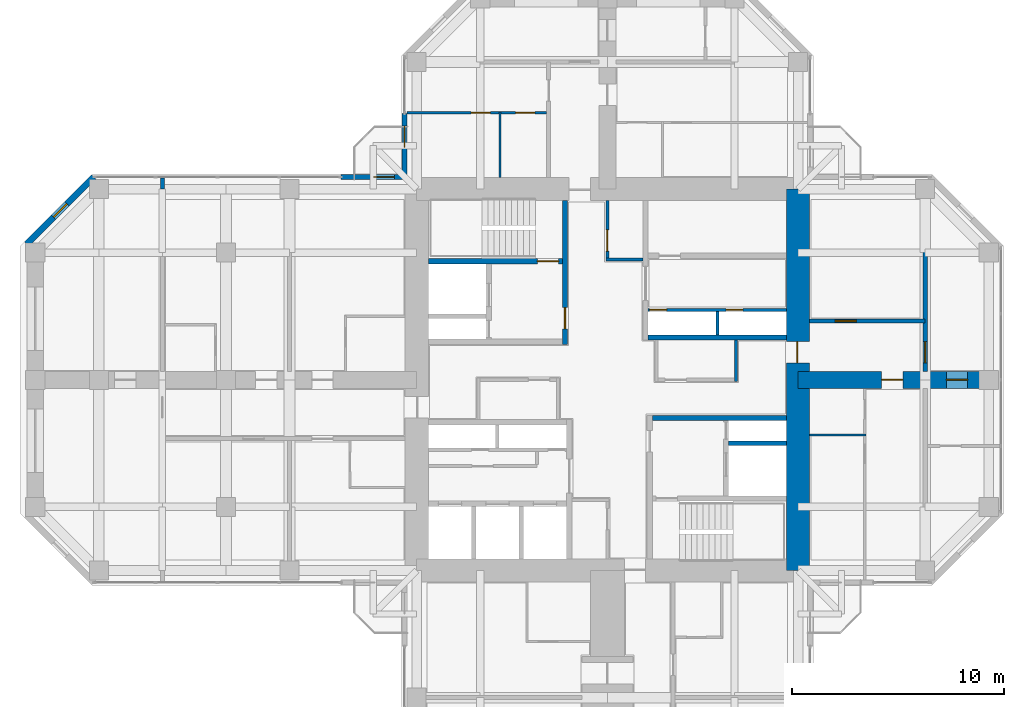
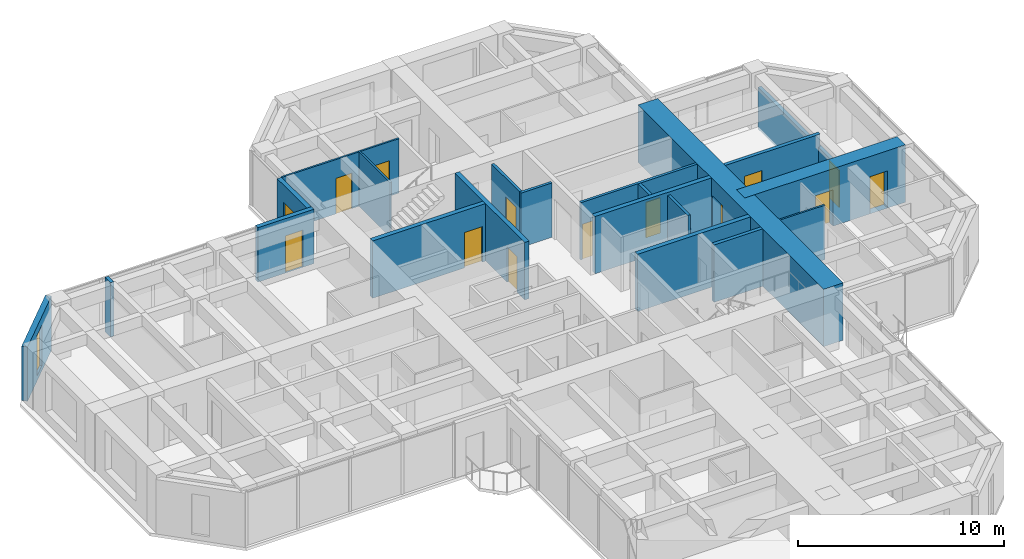
# One storey, part 11 of 14: 21 walls, 14 doors, 1 window, 15 openings.
"""IFC4 building model written with IfcOpenShell, lengths in metres."""

from ifc_helpers import new_model, si_unit, direction, frame, frame_2d, origin, place, context, subcontext, project, spatial, rectangle, hollow_rectangle, extrude, material, layer, layer_set, constituent, constituent_set, type_object, element, fill, save


model = new_model("IFC4")

# Units and contexts
model_context = context("Model", 3, precision=1e-05, world=origin(), true_north=direction((0.0, 1.0)))
body_context = subcontext(model_context, "Body", "Model", "MODEL_VIEW")
ifc_project = project(units=[si_unit("LENGTHUNIT", "METRE"), si_unit("AREAUNIT", "SQUARE_METRE"), si_unit("VOLUMEUNIT", "CUBIC_METRE"), si_unit("PLANEANGLEUNIT", "RADIAN"), si_unit("MASSUNIT", "GRAM", prefix="KILO")], contexts=[model_context])

# Site, building, storey
site_placement = place(None, origin())
site = spatial("IfcSite", under=ifc_project, at=site_placement, CompositionType="ELEMENT")
building_placement = place(site_placement, origin())
building = spatial("IfcBuilding", under=site, at=building_placement, Name="Torre Cruceta", CompositionType="ELEMENT")
storey_placement = place(building_placement, frame((0.0, 0.0, 206.89990234375)))
storey = spatial("IfcBuildingStorey", under=building, at=storey_placement, Name="L52", CompositionType="ELEMENT", Elevation=206.89990234375)

# Wall
ifc_material_1 = material(Name="Water-resistant plasterboard on steel studs", Category="steel")
ifc_layer_1 = layer(ifc_material_1, 0.10009765625)
ifc_layer_set_1 = layer_set([ifc_layer_1], Name="Water-resistant plasterboard on steel studs")
wall_type_1 = type_object("IfcWallType", Name="BATHROOM WALL 100", PredefinedType="PARTITIONING", material=ifc_layer_set_1)
wall_1_placement = place(storey_placement, frame((-5.074951171875, 9.550048828125, 0.0), z_axis=(0.0, 0.0, 1.0), x_axis=(0.0, 1.0, 0.0)))
element("IfcWall", 1, at=wall_1_placement, inside=storey, type_object=wall_type_1, Name="PT4 L52-N-U1LBB", PredefinedType="PARTITIONING", context=body_context, shape_type="SweptSolid", body=[
    extrude(rectangle(XDim=3.099853515625, YDim=0.10009765625, at=frame_2d((1.5498046875, 0.0))), origin(), (0.0, 0.0, 1.0), 3.22021484375),
])

# Wall, openings, doors
wall_2_placement = place(storey_placement, frame((-2.875, 12.60009765625, 0.0), z_axis=(0.0, 0.0, 1.0), x_axis=(-1.0, 0.0, 0.0)))
wall_2 = element("IfcWall", 2, at=wall_2_placement, inside=storey, type_object=wall_type_1, Name="PT4 L52-N-U1LBS", PredefinedType="PARTITIONING", context=body_context, shape_type="SweptSolid", body=[
    extrude(rectangle(XDim=6.570068359375, YDim=0.10009765625, at=frame_2d((3.28515625, 0.0))), origin(), (0.0, 0.0, 1.0), 3.22021484375),
])
opening_1_placement = place(wall_2_placement, frame((0.550048828125, 0.0, 0.0)))
opening_1 = element("IfcOpeningElement", 3, at=opening_1_placement, cuts=wall_2, Name="Opening D7", PredefinedType="OPENING", context=body_context, shape_type="SweptSolid", body=[
    extrude(rectangle(XDim=0.89990234375, YDim=2.10009765625, at=frame_2d((0.449951171875, 1.050048828125))), frame((0.0, 0.06005859375, 0.0), z_axis=(0.0, -1.0, 0.0), x_axis=(1.0, 0.0, 0.0)), (0.0, 0.0, 1.0), 0.1201171875),
])
opening_2_placement = place(wall_2_placement, frame((2.64990234375, 0.0, 0.0)))
opening_2 = element("IfcOpeningElement", 4, at=opening_2_placement, cuts=wall_2, Name="Opening D7", PredefinedType="OPENING", context=body_context, shape_type="SweptSolid", body=[
    extrude(rectangle(XDim=0.89990234375, YDim=2.10009765625, at=frame_2d((0.449951171875, 1.050048828125))), frame((0.0, 0.06005859375, 0.0), z_axis=(0.0, -1.0, 0.0), x_axis=(1.0, 0.0, 0.0)), (0.0, 0.0, 1.0), 0.1201171875),
])
ifc_material_2 = material(Name="Timber door", Category="wood")
door_type_1 = type_object("IfcDoorType", Name="BATHROOM DOOR 900X2100", OperationType="SINGLE_SWING_LEFT", PredefinedType="DOOR", material=ifc_material_2)
door_1_placement = place(opening_1_placement, origin())
door_1 = element("IfcDoor", 5, at=door_1_placement, inside=storey, type_object=door_type_1, Name="D7 L52-N-U1LBS-D1", OperationType="SINGLE_SWING_LEFT", OverallHeight=2.10009765625, OverallWidth=0.89990234375, PredefinedType="DOOR", context=body_context, shape_type="SweptSolid", body=[
    extrude(rectangle(XDim=0.89990234375, YDim=2.10009765625, at=frame_2d((0.449951171875, 1.050048828125))), frame((0.0, 0.02490234375, 0.0), z_axis=(0.0, -1.0, 0.0), x_axis=(1.0, 0.0, 0.0)), (0.0, 0.0, 1.0), 0.050048828125),
])
fill(opening_1, door_1)
door_2_placement = place(opening_2_placement, origin())
door_2 = element("IfcDoor", 6, at=door_2_placement, inside=storey, type_object=door_type_1, Name="D7 L52-N-U1LBS-D2", OperationType="SINGLE_SWING_LEFT", OverallHeight=2.10009765625, OverallWidth=0.89990234375, PredefinedType="DOOR", context=body_context, shape_type="SweptSolid", body=[
    extrude(rectangle(XDim=0.89990234375, YDim=2.10009765625, at=frame_2d((0.449951171875, 1.050048828125))), frame((0.0, 0.02490234375, 0.0), z_axis=(0.0, -1.0, 0.0), x_axis=(1.0, 0.0, 0.0)), (0.0, 0.0, 1.0), 0.050048828125),
])
fill(opening_2, door_2)

# Walls
wall_3_placement = place(storey_placement, frame((9.550048828125, -2.60009765625, 0.0), z_axis=(0.0, 0.0, 1.0), x_axis=(1.0, 0.0, 0.0)))
element("IfcWall", 7, at=wall_3_placement, inside=storey, type_object=wall_type_1, Name="PT4 L52-E-U1RBB", PredefinedType="PARTITIONING", context=body_context, shape_type="SweptSolid", body=[
    extrude(rectangle(XDim=2.64990234375, YDim=0.10009765625, at=frame_2d((1.324951171875, 0.0))), origin(), (0.0, 0.0, 1.0), 3.22021484375),
])
ifc_material_3 = material(Name="Concrete G60 (fck 60 MPa)", Category="concrete")
ifc_layer_2 = layer(ifc_material_3, 0.25)
ifc_layer_set_2 = layer_set([ifc_layer_2], Name="Concrete G60 (fck 60 MPa)")
wall_type_2 = type_object("IfcWallType", Name="CORE INNER WALL 250 G60", PredefinedType="SHEAR", material=ifc_layer_set_2)
wall_4_placement = place(storey_placement, frame((1.925048828125, 2.0, 0.0), z_axis=(0.0, 0.0, 1.0), x_axis=(1.0, 0.0, 0.0)))
element("IfcWall", 8, at=wall_4_placement, inside=storey, type_object=wall_type_2, Name="CW4 L52 NE-CV", PredefinedType="SHEAR", context=body_context, shape_type="SweptSolid", body=[
    extrude(rectangle(XDim=6.52490234375, YDim=0.25, at=frame_2d((3.262451171875, 0.0))), origin(), (0.0, 0.0, 1.0), 3.400146484375),
])

# Wall, opening, door
wall_5_placement = place(storey_placement, frame((-2.0, 1.675048828125, 0.0), z_axis=(0.0, 0.0, 1.0), x_axis=(0.0, 1.0, 0.0)))
wall_5 = element("IfcWall", 9, at=wall_5_placement, inside=storey, type_object=wall_type_2, Name="CW4 L52 NW-CU", PredefinedType="SHEAR", context=body_context, shape_type="SweptSolid", body=[
    extrude(rectangle(XDim=6.77490234375, YDim=0.25, at=frame_2d((3.387451171875, 0.0))), origin(), (0.0, 0.0, 1.0), 3.400146484375),
])
opening_3_placement = place(wall_5_placement, frame((0.72509765625, 0.0, 0.0)))
opening_3 = element("IfcOpeningElement", 10, at=opening_3_placement, cuts=wall_5, Name="Opening D3", PredefinedType="OPENING", context=body_context, shape_type="SweptSolid", body=[
    extrude(rectangle(XDim=1.0, YDim=2.10009765625, at=frame_2d((0.5, 1.050048828125))), frame((0.0, 0.135009765625, 0.0), z_axis=(0.0, -1.0, 0.0), x_axis=(1.0, 0.0, 0.0)), (0.0, 0.0, 1.0), 0.27001953125),
])
ifc_material_4 = material(Name="Steel DX51D", Category="steel")
ifc_constituent_1 = constituent(ifc_material_4, Name="Leaf and frame")
ifc_material_5 = material(Name="Polyester powder coating", Category="paint")
ifc_constituent_2 = constituent(ifc_material_5, Name="Finish")
ifc_constituent_set_1 = constituent_set(constituents=[ifc_constituent_1, ifc_constituent_2], Name="Steel fire door")
door_type_2 = type_object("IfcDoorType", Name="FIRE DOOR 1000X2100", OperationType="SINGLE_SWING_LEFT", PredefinedType="DOOR", material=ifc_constituent_set_1)
door_3_placement = place(opening_3_placement, origin())
door_3 = element("IfcDoor", 11, at=door_3_placement, inside=storey, type_object=door_type_2, Name="D3 L52 NW-LOBBY", OperationType="SINGLE_SWING_LEFT", OverallHeight=2.10009765625, OverallWidth=1.0, PredefinedType="DOOR", context=body_context, shape_type="SweptSolid", body=[
    extrude(rectangle(XDim=1.0, YDim=2.10009765625, at=frame_2d((0.5, 1.050048828125))), frame((0.0, 0.02490234375, 0.0), z_axis=(0.0, -1.0, 0.0), x_axis=(1.0, 0.0, 0.0)), (0.0, 0.0, 1.0), 0.050048828125),
])
fill(opening_3, door_3)

wall_6_placement = place(storey_placement, frame((-2.125, 5.60009765625, 0.0), z_axis=(0.0, 0.0, 1.0), x_axis=(-1.0, 0.0, 0.0)))
wall_6 = element("IfcWall", 12, at=wall_6_placement, inside=storey, type_object=wall_type_2, Name="CW4 L52 NW-SV", PredefinedType="SHEAR", context=body_context, shape_type="SweptSolid", body=[
    extrude(rectangle(XDim=6.324951171875, YDim=0.25, at=frame_2d((3.16259765625, 0.0))), origin(), (0.0, 0.0, 1.0), 3.400146484375),
])
opening_4_placement = place(wall_6_placement, frame((0.175048828125, 0.0, 0.0)))
opening_4 = element("IfcOpeningElement", 13, at=opening_4_placement, cuts=wall_6, Name="Opening D3", PredefinedType="OPENING", context=body_context, shape_type="SweptSolid", body=[
    extrude(rectangle(XDim=1.0, YDim=2.10009765625, at=frame_2d((0.5, 1.050048828125))), frame((0.0, 0.135009765625, 0.0), z_axis=(0.0, -1.0, 0.0), x_axis=(1.0, 0.0, 0.0)), (0.0, 0.0, 1.0), 0.27001953125),
])
door_4_placement = place(opening_4_placement, frame((1.0, 0.0, 0.0), z_axis=(0.0, 0.0, 1.0), x_axis=(-1.0, 0.0, 0.0)))
door_4 = element("IfcDoor", 14, at=door_4_placement, inside=storey, type_object=door_type_2, Name="D3 L52 NW-STAIR", OperationType="SINGLE_SWING_RIGHT", OverallHeight=2.10009765625, OverallWidth=1.0, PredefinedType="DOOR", context=body_context, shape_type="SweptSolid", body=[
    extrude(rectangle(XDim=1.0, YDim=2.10009765625, at=frame_2d((0.5, 1.050048828125))), frame((0.0, 0.025146484375, 0.0), z_axis=(0.0, -1.0, 0.0), x_axis=(1.0, 0.0, 0.0)), (0.0, 0.0, 1.0), 0.050048828125),
])
fill(opening_4, door_4)

# Wall
wall_7_placement = place(storey_placement, frame((2.125, -1.800048828125, 0.0), z_axis=(0.0, 0.0, 1.0), x_axis=(1.0, 0.0, 0.0)))
element("IfcWall", 15, at=wall_7_placement, inside=storey, type_object=wall_type_2, Name="CW4 L52 SE-CV", PredefinedType="SHEAR", context=body_context, shape_type="SweptSolid", body=[
    extrude(rectangle(XDim=6.324951171875, YDim=0.25, at=frame_2d((3.16259765625, 0.0))), origin(), (0.0, 0.0, 1.0), 3.400146484375),
])

# Wall, opening, door
ifc_material_6 = material(Name="Concrete G60 (fck 60 MPa)", Category="concrete")
ifc_layer_3 = layer(ifc_material_6, 1.10009765625)
ifc_layer_set_3 = layer_set([ifc_layer_3], Name="Concrete G60 (fck 60 MPa)")
wall_type_3 = type_object("IfcWallType", Name="CORE WALL 1100 G60", PredefinedType="SHEAR", material=ifc_layer_set_3)
wall_8_placement = place(storey_placement, frame((9.0, -9.0, 0.0), z_axis=(0.0, 0.0, 1.0), x_axis=(0.0, 1.0, 0.0)))
wall_8 = element("IfcWall", 16, at=wall_8_placement, inside=storey, type_object=wall_type_3, Name="CW2 L52 CW-E", PredefinedType="SHEAR", context=body_context, shape_type="SweptSolid", body=[
    extrude(rectangle(XDim=18.0, YDim=1.10009765625, at=frame_2d((9.0, 0.0))), origin(), (0.0, 0.0, 1.0), 3.400146484375),
])
opening_5_placement = place(wall_8_placement, frame((9.800048828125, 0.0, 0.0)))
opening_5 = element("IfcOpeningElement", 17, at=opening_5_placement, cuts=wall_8, Name="Opening D4", PredefinedType="OPENING", context=body_context, shape_type="SweptSolid", body=[
    extrude(rectangle(XDim=1.0, YDim=2.39990234375, at=frame_2d((0.5, 1.199951171875))), frame((0.0, 0.56005859375, 0.0), z_axis=(0.0, -1.0, 0.0), x_axis=(1.0, 0.0, 0.0)), (0.0, 0.0, 1.0), 1.1201171875),
])
ifc_material_7 = material(Name="Steel DX51D", Category="steel")
ifc_constituent_3 = constituent(ifc_material_7, Name="Leaf and frame")
ifc_material_8 = material(Name="Polyester powder coating", Category="paint")
ifc_constituent_4 = constituent(ifc_material_8, Name="Finish")
ifc_constituent_set_2 = constituent_set(constituents=[ifc_constituent_3, ifc_constituent_4], Name="Steel fire door")
door_type_3 = type_object("IfcDoorType", Name="CORE ARM DOOR 1000X2400", OperationType="SINGLE_SWING_RIGHT", PredefinedType="DOOR", material=ifc_constituent_set_2)
door_5_placement = place(opening_5_placement, origin())
door_5 = element("IfcDoor", 18, at=door_5_placement, inside=storey, type_object=door_type_3, Name="D4 L52 CW-E", OperationType="SINGLE_SWING_RIGHT", OverallHeight=2.39990234375, OverallWidth=1.0, PredefinedType="DOOR", context=body_context, shape_type="SweptSolid", body=[
    extrude(rectangle(XDim=1.0, YDim=2.39990234375, at=frame_2d((0.5, 1.199951171875))), frame((0.0, 0.05517578125, 0.0), z_axis=(0.0, -1.0, 0.0), x_axis=(1.0, 0.0, 0.0)), (0.0, 0.0, 1.0), 0.050048828125),
])
fill(opening_5, door_5)

ifc_material_9 = material(Name="Concrete G25 (fck 25 MPa)", Category="concrete")
ifc_layer_4 = layer(ifc_material_9, 0.199951171875)
ifc_layer_set_4 = layer_set([ifc_layer_4], Name="Concrete G25 (fck 25 MPa)")
wall_type_4 = type_object("IfcWallType", Name="CORRIDOR WALL 200", PredefinedType="SOLIDWALL", material=ifc_layer_set_4)
wall_9_placement = place(storey_placement, frame((9.550048828125, 2.77490234375, 0.0), z_axis=(0.0, 0.0, 1.0), x_axis=(1.0, 0.0, 0.0)))
wall_9 = element("IfcWall", 19, at=wall_9_placement, inside=storey, type_object=wall_type_4, Name="PT3 L52-E-CL", PredefinedType="SOLIDWALL", context=body_context, shape_type="SweptSolid", body=[
    extrude(rectangle(XDim=5.449951171875, YDim=0.199951171875, at=frame_2d((2.72509765625, 0.0))), origin(), (0.0, 0.0, 1.0), 3.22021484375),
])
opening_6_placement = place(wall_9_placement, frame((1.199951171875, 0.0, 0.0)))
opening_6 = element("IfcOpeningElement", 20, at=opening_6_placement, cuts=wall_9, Name="Opening D14", PredefinedType="OPENING", context=body_context, shape_type="SweptSolid", body=[
    extrude(rectangle(XDim=1.0, YDim=2.199951171875, at=frame_2d((0.5, 1.10009765625))), frame((0.0, 0.10986328125, 0.0), z_axis=(0.0, -1.0, 0.0), x_axis=(1.0, 0.0, 0.0)), (0.0, 0.0, 1.0), 0.219970703125),
])
ifc_material_10 = material(Name="Steel DX51D", Category="steel")
ifc_constituent_5 = constituent(ifc_material_10, Name="Leaf and frame")
ifc_material_11 = material(Name="Polyester powder coating", Category="paint")
ifc_constituent_6 = constituent(ifc_material_11, Name="Finish")
ifc_material_12 = material(Name="Fire-resisting glass", Category="glass")
ifc_constituent_7 = constituent(ifc_material_12, Name="Vision panel")
ifc_constituent_set_3 = constituent_set(constituents=[ifc_constituent_5, ifc_constituent_6, ifc_constituent_7], Name="Steel fire door with vision panel")
door_type_4 = type_object("IfcDoorType", Name="FIRE DOOR VISION PANEL 1000X2200", OperationType="SINGLE_SWING_RIGHT", PredefinedType="DOOR", material=ifc_constituent_set_3)
door_6_placement = place(opening_6_placement, origin())
door_6 = element("IfcDoor", 21, at=door_6_placement, inside=storey, type_object=door_type_4, Name="D14 L52-E-CL-D1", OperationType="SINGLE_SWING_LEFT", OverallHeight=2.199951171875, OverallWidth=1.0, PredefinedType="DOOR", context=body_context, shape_type="SweptSolid", body=[
    extrude(rectangle(XDim=1.0, YDim=2.199951171875, at=frame_2d((0.5, 1.10009765625))), frame((0.0, 0.02490234375, 0.0), z_axis=(0.0, -1.0, 0.0), x_axis=(1.0, 0.0, 0.0)), (0.0, 0.0, 1.0), 0.050048828125),
])
fill(opening_6, door_6)

# Wall, opening, window
ifc_material_13 = material(Name="Concrete G30 (fck 30 MPa)", Category="concrete")
ifc_layer_5 = layer(ifc_material_13, 0.300048828125)
ifc_layer_set_5 = layer_set([ifc_layer_5], Name="Concrete G30 (fck 30 MPa)")
wall_type_5 = type_object("IfcWallType", Name="EXPOSED CONCRETE FACADE WALL 300", PredefinedType="SOLIDWALL", material=ifc_layer_set_5)
wall_10_placement = place(storey_placement, frame((-24.236083984375, 9.570068359375, 0.0), z_axis=(0.0, 0.0, 1.0), x_axis=(-0.707079499254, -0.707134062067, 0.0)))
wall_10 = element("IfcWall", 22, at=wall_10_placement, inside=storey, type_object=wall_type_5, Name="EW1 facade wall L52 W chamfer 11", PredefinedType="SOLIDWALL", context=body_context, shape_type="SweptSolid", body=[
    extrude(rectangle(XDim=4.474609375, YDim=0.300048828125, at=frame_2d((2.2373046875, 0.0))), origin(), (0.0, 0.0, 1.0), 3.22021484375),
])
opening_7_placement = place(wall_10_placement, frame((1.787109375, 0.0, 0.300048828125)))
opening_7 = element("IfcOpeningElement", 23, at=opening_7_placement, cuts=wall_10, Name="Opening WN5", PredefinedType="OPENING", context=body_context, shape_type="SweptSolid", body=[
    extrude(rectangle(XDim=0.89990234375, YDim=2.39990234375, at=frame_2d((0.449951171875, 1.199951171875))), frame((0.0, 0.159912109375, 0.0), z_axis=(0.0, -1.0, 0.0), x_axis=(1.0, 0.0, 0.0)), (0.0, 0.0, 1.0), 0.320068359375),
])
ifc_material_14 = material(Name="Aluminium window frame", Category="aluminium")
ifc_constituent_8 = constituent(ifc_material_14, Name="Frame")
ifc_material_15 = material(Name="Laminated insulating glass unit, low-iron clear", Category="glass")
ifc_constituent_9 = constituent(ifc_material_15, Name="Glazing")
ifc_constituent_set_4 = constituent_set(constituents=[ifc_constituent_8, ifc_constituent_9], Name="Aluminium window")
window_type = type_object("IfcWindowType", Name="CHAMFER SLOT WINDOW 900X2400", PartitioningType="SINGLE_PANEL", PredefinedType="WINDOW", material=ifc_constituent_set_4)
window_placement = place(opening_7_placement, origin())
window = element("IfcWindow", 24, at=window_placement, inside=storey, type_object=window_type, Name="WN5 L52 W 1", OverallHeight=2.39990234375, OverallWidth=0.89990234375, PartitioningType="SINGLE_PANEL", PredefinedType="WINDOW", context=body_context, shape_type="SweptSolid", body=[
    extrude(hollow_rectangle(XDim=0.89990234375, YDim=2.39990234375, WallThickness=0.06005859375, at=frame_2d((0.449951171875, 1.199951171875))), frame((0.0, 0.030029296875, 0.0), z_axis=(0.0, -1.0, 0.0), x_axis=(1.0, 0.0, 0.0)), (0.0, 0.0, 1.0), 0.06005859375),
    extrude(rectangle(XDim=0.77880859375, YDim=2.27880859375, at=frame_2d((0.449951171875, 1.199951171875))), frame((0.0, 0.030029296875, 0.0), z_axis=(0.0, -1.0, 0.0), x_axis=(1.0, 0.0, 0.0)), (0.0, 0.0, 1.0), 0.06005859375),
])
fill(opening_7, window)

# Walls
ifc_material_16 = material(Name="Concrete G35 (fck 35 MPa)", Category="concrete")
ifc_layer_6 = layer(ifc_material_16, 0.199951171875)
ifc_layer_set_6 = layer_set([ifc_layer_6], Name="Concrete G35 (fck 35 MPa)")
wall_type_6 = type_object("IfcWallType", Name="LIFT SHAFT WALL 200", PredefinedType="PARTITIONING", material=ifc_layer_set_6)
wall_11_placement = place(storey_placement, frame((5.72509765625, -3.0, 0.0), z_axis=(0.0, 0.0, 1.0), x_axis=(1.0, 0.0, 0.0)))
element("IfcWall", 25, at=wall_11_placement, inside=storey, type_object=wall_type_6, Name="SW1 L52 SE-FR", PredefinedType="PARTITIONING", context=body_context, shape_type="SweptSolid", body=[
    extrude(rectangle(XDim=2.724853515625, YDim=0.199951171875, at=frame_2d((1.3623046875, 0.0))), origin(), (0.0, 0.0, 1.0), 3.400146484375),
])
ifc_material_17 = material(Name="Plasterboard on steel studs", Category="steel")
ifc_layer_7 = layer(ifc_material_17, 0.14990234375)
ifc_layer_set_7 = layer_set([ifc_layer_7], Name="Plasterboard on steel studs")
wall_type_7 = type_object("IfcWallType", Name="PARTITION 150", PredefinedType="PARTITIONING", material=ifc_layer_set_7)
wall_12_placement = place(storey_placement, frame((6.074951171875, -0.074951171875, 0.0), z_axis=(0.0, 0.0, 1.0), x_axis=(0.0, 1.0, 0.0)))
element("IfcWall", 26, at=wall_12_placement, inside=storey, type_object=wall_type_7, Name="PT1 L52-CORE-LEGE-N-W3", PredefinedType="PARTITIONING", context=body_context, shape_type="SweptSolid", body=[
    extrude(rectangle(XDim=1.949951171875, YDim=0.14990234375, at=frame_2d((0.97509765625, 0.0))), origin(), (0.0, 0.0, 1.0), 3.22021484375),
])

# Wall, opening, door
wall_13_placement = place(storey_placement, frame((0.0, 5.675048828125, 0.0), z_axis=(0.0, 0.0, 1.0), x_axis=(0.0, 1.0, 0.0)))
wall_13 = element("IfcWall", 27, at=wall_13_placement, inside=storey, type_object=wall_type_7, Name="PT1 L52-CORE-LEGN-E-W1", PredefinedType="PARTITIONING", context=body_context, shape_type="SweptSolid", body=[
    extrude(rectangle(XDim=2.77490234375, YDim=0.14990234375, at=frame_2d((1.387451171875, 0.0))), origin(), (0.0, 0.0, 1.0), 3.22021484375),
])
opening_8_placement = place(wall_13_placement, frame((0.39990234375, 0.0, 0.0)))
opening_8 = element("IfcOpeningElement", 28, at=opening_8_placement, cuts=wall_13, Name="Opening D3", PredefinedType="OPENING", context=body_context, shape_type="SweptSolid", body=[
    extrude(rectangle(XDim=1.0, YDim=2.10009765625, at=frame_2d((0.5, 1.050048828125))), frame((0.0, 0.0849609375, 0.0), z_axis=(0.0, -1.0, 0.0), x_axis=(1.0, 0.0, 0.0)), (0.0, 0.0, 1.0), 0.169921875),
])
door_7_placement = place(opening_8_placement, frame((1.0, 0.0, 0.0), z_axis=(0.0, 0.0, 1.0), x_axis=(-1.0, 0.0, 0.0)))
door_7 = element("IfcDoor", 29, at=door_7_placement, inside=storey, type_object=door_type_2, Name="D3 L52-CORE-LEGN-E-W1-D1", OperationType="SINGLE_SWING_RIGHT", OverallHeight=2.10009765625, OverallWidth=1.0, PredefinedType="DOOR", context=body_context, shape_type="SweptSolid", body=[
    extrude(rectangle(XDim=1.0, YDim=2.10009765625, at=frame_2d((0.5, 1.050048828125))), frame((0.0, 0.025146484375, 0.0), z_axis=(0.0, -1.0, 0.0), x_axis=(1.0, 0.0, 0.0)), (0.0, 0.0, 1.0), 0.050048828125),
])
fill(opening_8, door_7)

# Wall
wall_14_placement = place(storey_placement, frame((1.675048828125, 5.675048828125, 0.0), z_axis=(0.0, 0.0, 1.0), x_axis=(-1.0, 0.0, 0.0)))
element("IfcWall", 30, at=wall_14_placement, inside=storey, type_object=wall_type_7, Name="PT1 L52-CORE-LEGN-E-W2", PredefinedType="PARTITIONING", context=body_context, shape_type="SweptSolid", body=[
    extrude(rectangle(XDim=1.75, YDim=0.14990234375, at=frame_2d((0.875, 0.0))), origin(), (0.0, 0.0, 1.0), 3.22021484375),
])

# Wall, openings, doors
ifc_material_18 = material(Name="Concrete block masonry", Category="masonry")
ifc_layer_8 = layer(ifc_material_18, 0.14990234375)
ifc_layer_set_8 = layer_set([ifc_layer_8], Name="Concrete block masonry")
wall_type_8 = type_object("IfcWallType", Name="RISER WALL 150", PredefinedType="PARTITIONING", material=ifc_layer_set_8)
wall_15_placement = place(storey_placement, frame((1.925048828125, 3.300048828125, 0.0), z_axis=(0.0, 0.0, 1.0), x_axis=(1.0, 0.0, 0.0)))
wall_15 = element("IfcWall", 31, at=wall_15_placement, inside=storey, type_object=wall_type_8, Name="SW7 L52 NE-RV", PredefinedType="PARTITIONING", context=body_context, shape_type="SweptSolid", body=[
    extrude(rectangle(XDim=6.52490234375, YDim=0.14990234375, at=frame_2d((3.262451171875, 0.0))), origin(), (0.0, 0.0, 1.0), 3.400146484375),
])
opening_9_placement = place(wall_15_placement, frame((0.074951171875, 0.0, 0.0)))
opening_9 = element("IfcOpeningElement", 32, at=opening_9_placement, cuts=wall_15, Name="Opening D5", PredefinedType="OPENING", context=body_context, shape_type="SweptSolid", body=[
    extrude(rectangle(XDim=0.800048828125, YDim=2.10009765625, at=frame_2d((0.39990234375, 1.050048828125))), frame((0.0, 0.0849609375, 0.0), z_axis=(0.0, -1.0, 0.0), x_axis=(1.0, 0.0, 0.0)), (0.0, 0.0, 1.0), 0.169921875),
])
opening_10_placement = place(wall_15_placement, frame((3.675048828125, 0.0, 0.0)))
opening_10 = element("IfcOpeningElement", 33, at=opening_10_placement, cuts=wall_15, Name="Opening D5", PredefinedType="OPENING", context=body_context, shape_type="SweptSolid", body=[
    extrude(rectangle(XDim=0.800048828125, YDim=2.10009765625, at=frame_2d((0.39990234375, 1.050048828125))), frame((0.0, 0.0849609375, 0.0), z_axis=(0.0, -1.0, 0.0), x_axis=(1.0, 0.0, 0.0)), (0.0, 0.0, 1.0), 0.169921875),
])
ifc_material_19 = material(Name="Steel DX51D", Category="steel")
ifc_constituent_10 = constituent(ifc_material_19, Name="Leaf and frame")
ifc_material_20 = material(Name="Polyester powder coating", Category="paint")
ifc_constituent_11 = constituent(ifc_material_20, Name="Finish")
ifc_constituent_set_5 = constituent_set(constituents=[ifc_constituent_10, ifc_constituent_11], Name="Steel fire door")
door_type_5 = type_object("IfcDoorType", Name="RISER ACCESS DOOR 800X2100", OperationType="SINGLE_SWING_LEFT", PredefinedType="DOOR", material=ifc_constituent_set_5)
door_8_placement = place(opening_9_placement, frame((0.800048828125, 0.0, 0.0), z_axis=(0.0, 0.0, 1.0), x_axis=(-1.0, 0.0, 0.0)))
door_8 = element("IfcDoor", 34, at=door_8_placement, inside=storey, type_object=door_type_5, Name="D5 L52 NE-RISER1", OperationType="SINGLE_SWING_RIGHT", OverallHeight=2.10009765625, OverallWidth=0.800048828125, PredefinedType="DOOR", context=body_context, shape_type="SweptSolid", body=[
    extrude(rectangle(XDim=0.800048828125, YDim=2.10009765625, at=frame_2d((0.400146484375, 1.050048828125))), frame((0.0, 0.025146484375, 0.0), z_axis=(0.0, -1.0, 0.0), x_axis=(1.0, 0.0, 0.0)), (0.0, 0.0, 1.0), 0.050048828125),
])
fill(opening_9, door_8)
door_9_placement = place(opening_10_placement, frame((0.800048828125, 0.0, 0.0), z_axis=(0.0, 0.0, 1.0), x_axis=(-1.0, 0.0, 0.0)))
door_9 = element("IfcDoor", 35, at=door_9_placement, inside=storey, type_object=door_type_5, Name="D5 L52 NE-RISER2", OperationType="SINGLE_SWING_RIGHT", OverallHeight=2.10009765625, OverallWidth=0.800048828125, PredefinedType="DOOR", context=body_context, shape_type="SweptSolid", body=[
    extrude(rectangle(XDim=0.800048828125, YDim=2.10009765625, at=frame_2d((0.400146484375, 1.050048828125))), frame((0.0, 0.025146484375, 0.0), z_axis=(0.0, -1.0, 0.0), x_axis=(1.0, 0.0, 0.0)), (0.0, 0.0, 1.0), 0.050048828125),
])
fill(opening_10, door_9)

# Wall
wall_16_placement = place(storey_placement, frame((5.199951171875, 2.125, 0.0), z_axis=(0.0, 0.0, 1.0), x_axis=(0.0, 1.0, 0.0)))
element("IfcWall", 36, at=wall_16_placement, inside=storey, type_object=wall_type_8, Name="SW7 L52 NE-RU", PredefinedType="PARTITIONING", context=body_context, shape_type="SweptSolid", body=[
    extrude(rectangle(XDim=1.10009765625, YDim=0.14990234375, at=frame_2d((0.550048828125, 0.0))), origin(), (0.0, 0.0, 1.0), 3.400146484375),
])

# Wall, openings, doors
ifc_material_21 = material(Name="Concrete G60 (fck 60 MPa)", Category="concrete")
ifc_layer_9 = layer(ifc_material_21, 0.800048828125)
ifc_layer_set_9 = layer_set([ifc_layer_9], Name="Concrete G60 (fck 60 MPa)")
wall_type_9 = type_object("IfcWallType", Name="SPINE WALL 800 G60", PredefinedType="SHEAR", material=ifc_layer_set_9)
wall_17_placement = place(storey_placement, frame((9.0, 0.0, 0.0), z_axis=(0.0, 0.0, 1.0), x_axis=(1.0, 0.0, 0.0)))
wall_17 = element("IfcWall", 37, at=wall_17_placement, inside=storey, type_object=wall_type_9, Name="SW4 spine wall L52 E", PredefinedType="SHEAR", context=body_context, shape_type="SweptSolid", body=[
    extrude(rectangle(XDim=9.0, YDim=0.800048828125, at=frame_2d((4.5, 0.0))), origin(), (0.0, 0.0, 1.0), 3.400146484375),
])
opening_11_placement = place(wall_17_placement, frame((3.949951171875, 0.0, 0.0)))
opening_11 = element("IfcOpeningElement", 38, at=opening_11_placement, cuts=wall_17, Name="Opening D6", PredefinedType="OPENING", context=body_context, shape_type="SweptSolid", body=[
    extrude(rectangle(XDim=1.0, YDim=2.14990234375, at=frame_2d((0.5, 1.074951171875))), frame((0.0, 0.409912109375, 0.0), z_axis=(0.0, -1.0, 0.0), x_axis=(1.0, 0.0, 0.0)), (0.0, 0.0, 1.0), 0.820068359375),
])
opening_12_placement = place(wall_17_placement, frame((7.0, 0.0, 0.0)))
opening_12 = element("IfcOpeningElement", 39, at=opening_12_placement, cuts=wall_17, Name="Opening D14", PredefinedType="OPENING", context=body_context, shape_type="SweptSolid", body=[
    extrude(rectangle(XDim=1.0, YDim=2.199951171875, at=frame_2d((0.5, 1.10009765625))), frame((0.0, 0.409912109375, 0.0), z_axis=(0.0, -1.0, 0.0), x_axis=(1.0, 0.0, 0.0)), (0.0, 0.0, 1.0), 0.820068359375),
])
door_10_placement = place(opening_12_placement, frame((1.0, 0.0, 0.0), z_axis=(0.0, 0.0, 1.0), x_axis=(-1.0, 0.0, 0.0)))
door_10 = element("IfcDoor", 40, at=door_10_placement, inside=storey, type_object=door_type_4, Name="D14 L52-E-SP2", OperationType="SINGLE_SWING_RIGHT", OverallHeight=2.199951171875, OverallWidth=1.0, PredefinedType="DOOR", context=body_context, shape_type="SweptSolid", body=[
    extrude(rectangle(XDim=1.0, YDim=2.199951171875, at=frame_2d((0.5, 1.10009765625))), frame((0.0, 0.025146484375, 0.0), z_axis=(0.0, -1.0, 0.0), x_axis=(1.0, 0.0, 0.0)), (0.0, 0.0, 1.0), 0.050048828125),
])
fill(opening_12, door_10)
ifc_material_22 = material(Name="Timber fire door", Category="wood")
door_type_6 = type_object("IfcDoorType", Name="UNIT ENTRANCE DOOR 1000X2150", OperationType="SINGLE_SWING_LEFT", PredefinedType="DOOR", material=ifc_material_22)
door_11_placement = place(opening_11_placement, frame((1.0, 0.0, 0.0), z_axis=(0.0, 0.0, 1.0), x_axis=(-1.0, 0.0, 0.0)))
door_11 = element("IfcDoor", 41, at=door_11_placement, inside=storey, type_object=door_type_6, Name="D6 L52-E-SP1", OperationType="SINGLE_SWING_RIGHT", OverallHeight=2.14990234375, OverallWidth=1.0, PredefinedType="DOOR", context=body_context, shape_type="SweptSolid", body=[
    extrude(rectangle(XDim=1.0, YDim=2.14990234375, at=frame_2d((0.5, 1.074951171875))), frame((0.0, 0.025146484375, 0.0), z_axis=(0.0, -1.0, 0.0), x_axis=(1.0, 0.0, 0.0)), (0.0, 0.0, 1.0), 0.050048828125),
])
fill(opening_11, door_11)

# Wall, opening, door
ifc_material_23 = material(Name="Concrete G25 (fck 25 MPa)", Category="concrete")
ifc_layer_10 = layer(ifc_material_23, 0.199951171875)
ifc_layer_set_10 = layer_set([ifc_layer_10], Name="Concrete G25 (fck 25 MPa)")
wall_type_10 = type_object("IfcWallType", Name="UNIT SEPARATING WALL 200", PredefinedType="SOLIDWALL", material=ifc_layer_set_10)
wall_18_placement = place(storey_placement, frame((15.0, 0.39990234375, 0.0), z_axis=(0.0, 0.0, 1.0), x_axis=(0.0, 1.0, 0.0)))
wall_18 = element("IfcWall", 42, at=wall_18_placement, inside=storey, type_object=wall_type_10, Name="PT2 L52-E-ENDb", PredefinedType="SOLIDWALL", context=body_context, shape_type="SweptSolid", body=[
    extrude(rectangle(XDim=8.150146484375, YDim=0.199951171875, at=frame_2d((4.0751953125, 0.0))), origin(), (0.0, 0.0, 1.0), 2.47021484375),
])
opening_13_placement = place(wall_18_placement, frame((0.39990234375, 0.0, 0.0)))
opening_13 = element("IfcOpeningElement", 43, at=opening_13_placement, cuts=wall_18, Name="Opening D14", PredefinedType="OPENING", context=body_context, shape_type="SweptSolid", body=[
    extrude(rectangle(XDim=1.0, YDim=2.199951171875, at=frame_2d((0.5, 1.10009765625))), frame((0.0, 0.10986328125, 0.0), z_axis=(0.0, -1.0, 0.0), x_axis=(1.0, 0.0, 0.0)), (0.0, 0.0, 1.0), 0.219970703125),
])
door_12_placement = place(opening_13_placement, frame((1.0, 0.0, 0.0), z_axis=(0.0, 0.0, 1.0), x_axis=(-1.0, 0.0, 0.0)))
door_12 = element("IfcDoor", 44, at=door_12_placement, inside=storey, type_object=door_type_4, Name="D14 L52-E-ENDb-D1", OperationType="SINGLE_SWING_RIGHT", OverallHeight=2.199951171875, OverallWidth=1.0, PredefinedType="DOOR", context=body_context, shape_type="SweptSolid", body=[
    extrude(rectangle(XDim=1.0, YDim=2.199951171875, at=frame_2d((0.5, 1.10009765625))), frame((0.0, 0.025146484375, 0.0), z_axis=(0.0, -1.0, 0.0), x_axis=(1.0, 0.0, 0.0)), (0.0, 0.0, 1.0), 0.050048828125),
])
fill(opening_13, door_12)

# Wall
wall_19_placement = place(storey_placement, frame((-21.0, 9.530029296875, 0.0), z_axis=(0.0, 0.0, 1.0), x_axis=(0.0, -1.0, 0.0)))
element("IfcWall", 45, at=wall_19_placement, inside=storey, type_object=wall_type_10, Name="PT2 L52-W-ENDa", PredefinedType="SOLIDWALL", context=body_context, shape_type="SweptSolid", body=[
    extrude(rectangle(XDim=0.530029296875, YDim=0.199951171875, at=frame_2d((0.26513671875, 0.0))), origin(), (0.0, 0.0, 1.0), 3.22021484375),
])

# Wall, opening, door
ifc_material_24 = material(Name="Concrete G30 (fck 30 MPa)", Category="concrete")
ifc_layer_11 = layer(ifc_material_24, 0.25)
ifc_layer_set_11 = layer_set([ifc_layer_11], Name="Concrete G30 (fck 30 MPa)")
wall_type_11 = type_object("IfcWallType", Name="WINTER GARDEN WALL 250", PredefinedType="SOLIDWALL", material=ifc_layer_set_11)
wall_20_placement = place(storey_placement, frame((-9.570068359375, 12.570068359375, 0.0), z_axis=(0.0, 0.0, 1.0), x_axis=(0.0, -1.0, 0.0)))
wall_20 = element("IfcWall", 46, at=wall_20_placement, inside=storey, type_object=wall_type_11, Name="EW2 winter garden wall L52 09", PredefinedType="SOLIDWALL", context=body_context, shape_type="SweptSolid", body=[
    extrude(rectangle(XDim=2.875, YDim=0.25, at=frame_2d((1.4375, 0.0))), origin(), (0.0, 0.0, 1.0), 3.22021484375),
])
opening_14_placement = place(wall_20_placement, frame((0.60009765625, 0.0, 0.0)))
opening_14 = element("IfcOpeningElement", 47, at=opening_14_placement, cuts=wall_20, Name="Opening D10", PredefinedType="OPENING", context=body_context, shape_type="SweptSolid", body=[
    extrude(rectangle(XDim=1.0, YDim=2.199951171875, at=frame_2d((0.5, 1.10009765625))), frame((0.0, 0.135009765625, 0.0), z_axis=(0.0, -1.0, 0.0), x_axis=(1.0, 0.0, 0.0)), (0.0, 0.0, 1.0), 0.27001953125),
])
ifc_material_25 = material(Name="Aluminium door frame", Category="aluminium")
ifc_constituent_12 = constituent(ifc_material_25, Name="Frame")
ifc_material_26 = material(Name="Laminated safety glass", Category="glass")
ifc_constituent_13 = constituent(ifc_material_26, Name="Glazing")
ifc_constituent_set_6 = constituent_set(constituents=[ifc_constituent_12, ifc_constituent_13], Name="Aluminium glazed door")
door_type_7 = type_object("IfcDoorType", Name="BALCONY DOOR 1000X2200", OperationType="SINGLE_SWING_RIGHT", PredefinedType="DOOR", material=ifc_constituent_set_6)
door_13_placement = place(opening_14_placement, origin())
door_13 = element("IfcDoor", 48, at=door_13_placement, inside=storey, type_object=door_type_7, Name="D10 balcony door L52 09", OperationType="SINGLE_SWING_LEFT", OverallHeight=2.199951171875, OverallWidth=1.0, PredefinedType="DOOR", context=body_context, shape_type="SweptSolid", body=[
    extrude(hollow_rectangle(XDim=1.0, YDim=2.199951171875, WallThickness=0.06005859375, at=frame_2d((0.5, 1.10009765625))), frame((0.0, 0.02490234375, 0.0), z_axis=(0.0, -1.0, 0.0), x_axis=(1.0, 0.0, 0.0)), (0.0, 0.0, 1.0), 0.050048828125),
    extrude(rectangle(XDim=0.87890625, YDim=2.078857421875, at=frame_2d((0.5, 1.10009765625))), frame((0.0, 0.02490234375, 0.0), z_axis=(0.0, -1.0, 0.0), x_axis=(1.0, 0.0, 0.0)), (0.0, 0.0, 1.0), 0.050048828125),
])
fill(opening_14, door_13)

wall_21_placement = place(storey_placement, frame((-9.445068359375, 9.570068359375, 0.0), z_axis=(0.0, 0.0, 1.0), x_axis=(-1.0, 0.0, 0.0)))
wall_21 = element("IfcWall", 49, at=wall_21_placement, inside=storey, type_object=wall_type_11, Name="EW2 winter garden wall L52 10", PredefinedType="SOLIDWALL", context=body_context, shape_type="SweptSolid", body=[
    extrude(rectangle(XDim=3.125, YDim=0.25, at=frame_2d((1.5625, 0.0))), origin(), (0.0, 0.0, 1.0), 3.22021484375),
])
opening_15_placement = place(wall_21_placement, frame((0.60009765625, 0.0, 0.0)))
opening_15 = element("IfcOpeningElement", 50, at=opening_15_placement, cuts=wall_21, Name="Opening D10", PredefinedType="OPENING", context=body_context, shape_type="SweptSolid", body=[
    extrude(rectangle(XDim=1.0, YDim=2.199951171875, at=frame_2d((0.5, 1.10009765625))), frame((0.0, 0.135009765625, 0.0), z_axis=(0.0, -1.0, 0.0), x_axis=(1.0, 0.0, 0.0)), (0.0, 0.0, 1.0), 0.27001953125),
])
door_14_placement = place(opening_15_placement, origin())
door_14 = element("IfcDoor", 51, at=door_14_placement, inside=storey, type_object=door_type_7, Name="D10 balcony door L52 10", OperationType="SINGLE_SWING_LEFT", OverallHeight=2.199951171875, OverallWidth=1.0, PredefinedType="DOOR", context=body_context, shape_type="SweptSolid", body=[
    extrude(hollow_rectangle(XDim=1.0, YDim=2.199951171875, WallThickness=0.06005859375, at=frame_2d((0.5, 1.10009765625))), frame((0.0, 0.02490234375, 0.0), z_axis=(0.0, -1.0, 0.0), x_axis=(1.0, 0.0, 0.0)), (0.0, 0.0, 1.0), 0.050048828125),
    extrude(rectangle(XDim=0.87890625, YDim=2.078857421875, at=frame_2d((0.5, 1.10009765625))), frame((0.0, 0.02490234375, 0.0), z_axis=(0.0, -1.0, 0.0), x_axis=(1.0, 0.0, 0.0)), (0.0, 0.0, 1.0), 0.050048828125),
])
fill(opening_15, door_14)

save(model, "model.ifc")
